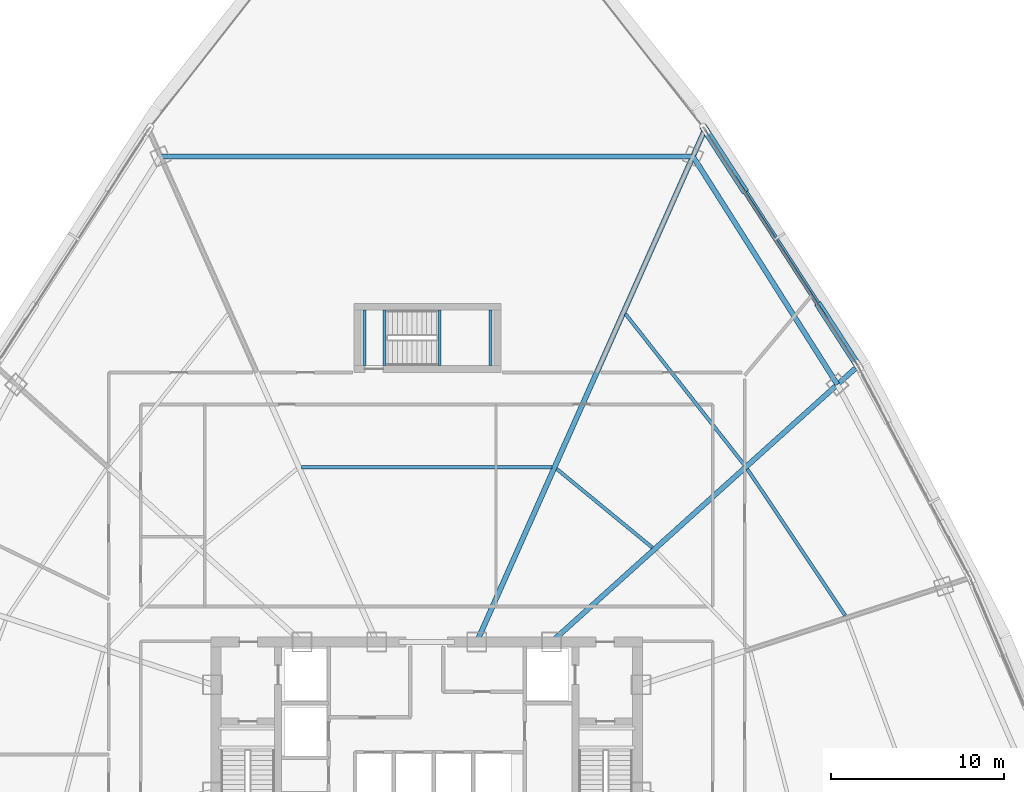
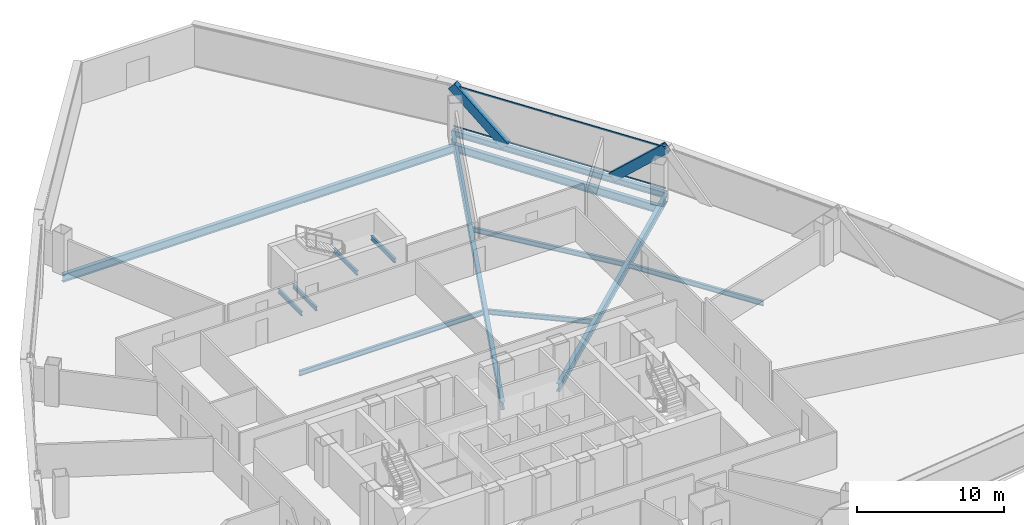
# One storey, part 19 of 39: 13 beams, 4 members, 1 element without a shape of its own.
"""IFC4 building model written with IfcOpenShell, lengths in metres."""

from ifc_helpers import new_model, si_unit, direction, frame, origin, origin_2d, place, context, subcontext, project, spatial, hollow_rectangle, i_section, extrude, source, transform, mapped, material, layer, layer_set, material_profile, profile_set, type_object, element, aggregate, save


model = new_model("IFC4")

# Units and contexts
model_context = context("Model", 3, precision=1e-05, world=origin(), true_north=direction((0.0, 1.0)))
body_context = subcontext(model_context, "Body", "Model", "MODEL_VIEW")
ifc_project = project(units=[si_unit("LENGTHUNIT", "METRE"), si_unit("AREAUNIT", "SQUARE_METRE"), si_unit("VOLUMEUNIT", "CUBIC_METRE"), si_unit("PLANEANGLEUNIT", "RADIAN"), si_unit("MASSUNIT", "GRAM", prefix="KILO"), si_unit("THERMODYNAMICTEMPERATUREUNIT", "KELVIN"), si_unit("POWERUNIT", "WATT")], contexts=[model_context])

# Site, building, storey
site_placement = place(None, origin())
site = spatial("IfcSite", under=ifc_project, at=site_placement, CompositionType="ELEMENT")
building_placement = place(site_placement, origin())
building = spatial("IfcBuilding", under=site, at=building_placement, Name="Yunzhuo Pagoda Commons", CompositionType="ELEMENT")
storey_placement = place(building_placement, frame((0.0, 0.0, 140.8701171875)))
storey = spatial("IfcBuildingStorey", under=building, at=storey_placement, Name="L35", CompositionType="ELEMENT", Elevation=140.8701171875)

# Beams
ifc_material_1 = material(Name="Structural steel Q355B", Category="steel")
ifc_material_profile_1 = material_profile(ifc_material_1, i_section(OverallWidth=0.175048828125, OverallDepth=0.35009765625, WebThickness=0.007080078125, FlangeThickness=0.010986328125, at=origin_2d()), Name="Structural steel Q355B")
ifc_profile_set_1 = profile_set([ifc_material_profile_1], Name="Structural steel Q355B")
beam_type_1 = type_object("IfcBeamType", Name="B-JS2 Joist HN 350x175x7x11", PredefinedType="JOIST", material=ifc_profile_set_1)
shared_shape_1 = source(origin(), body_context, "Body", "SweptSolid", [
    extrude(i_section(OverallWidth=0.175048828125, OverallDepth=0.35009765625, WebThickness=0.007080078125, FlangeThickness=0.010986328125, at=origin_2d()), origin(), (0.0, 0.0, 1.0), 3.199951171875),
])
for number, where, z_axis, x_axis, name in (
    (1, (48.75, 56.199951171875, 1.46484375), (0.0, 1.0, 0.0), (-1.0, 0.0, 0.0), "L35 ST3 landing support beam 41A"),
    (2, (51.699951171875, 56.199951171875, 1.46484375), (0.0, 1.0, 0.0), (-1.0, 0.0, 0.0), "L35 ST3 landing support beam 41B"),
    (3, (44.39990234375, 56.199951171875, -0.375), (0.0, 1.0, 0.0), (-1.0, 0.0, 0.0), "L35 ST3 landing support beam 109A"),
    (4, (45.550048828125, 56.199951171875, -0.375), (0.0, 1.0, 0.0), (-1.0, 0.0, 0.0), "L35 ST3 landing support beam 109B"),
):
    element("IfcBeam", number, at=place(storey_placement, frame(where, z_axis=z_axis, x_axis=x_axis)), inside=storey, type_object=beam_type_1, Name=name, PredefinedType="JOIST", context=body_context, shape_type="MappedRepresentation", body=[
        mapped(shared_shape_1, transform((0.0, 0.0, 0.0), scale=1.0)),
    ])
ifc_material_profile_2 = material_profile(ifc_material_1, i_section(OverallWidth=0.199951171875, OverallDepth=0.39990234375, WebThickness=0.008056640625, FlangeThickness=0.012939453125, at=origin_2d()), Name="Structural steel Q355B")
ifc_profile_set_2 = profile_set([ifc_material_profile_2], Name="Structural steel Q355B")
beam_type_2 = type_object("IfcBeamType", Name="B-JS1 Joist HN 400x200x8x13", PredefinedType="JOIST", material=ifc_profile_set_2)
shared_shape_2 = source(origin(), body_context, "Body", "SweptSolid", [
    extrude(i_section(OverallWidth=0.199951171875, OverallDepth=0.39990234375, WebThickness=0.008056640625, FlangeThickness=0.012939453125, at=origin_2d()), origin(), (0.0, 0.0, 1.0), 10.186767578125),
])
beam_1_placement = place(storey_placement, frame((72.221923828125, 41.731201171875, -0.460205078125), z_axis=(-0.555872145938, 0.831267801235, 0.0), x_axis=(-0.831267801235, -0.555872145938, 0.0)))
element("IfcBeam", 5, at=beam_1_placement, inside=storey, type_object=beam_type_2, Name="L35 composite ring joist 2.6", PredefinedType="JOIST", context=body_context, shape_type="MappedRepresentation", body=[
    mapped(shared_shape_2, transform((0.0, 0.0, 0.0), scale=1.0)),
])
ifc_material_profile_3 = material_profile(ifc_material_1, i_section(OverallWidth=0.300048828125, OverallDepth=0.64990234375, WebThickness=0.012939453125, FlangeThickness=0.02197265625, at=origin_2d()), Name="Structural steel Q355B")
ifc_profile_set_3 = profile_set([ifc_material_profile_3], Name="Structural steel Q355B")
beam_type_3 = type_object("IfcBeamType", Name="B-RG2 Beam HN 650x300x13x22", PredefinedType="BEAM", material=ifc_profile_set_3)
shared_shape_3 = source(origin(), body_context, "Body", "SweptSolid", [
    extrude(i_section(OverallWidth=0.300048828125, OverallDepth=0.64990234375, WebThickness=0.012939453125, FlangeThickness=0.02197265625, at=origin_2d()), origin(), (0.0, 0.0, 1.0), 15.627685546875),
])
beam_2_placement = place(storey_placement, frame((71.76611328125, 55.09912109375, -0.585205078125), z_axis=(-0.534952471728, 0.844882153316, 0.0), x_axis=(-0.844882153316, -0.534952471728, 0.0)))
element("IfcBeam", 6, at=beam_2_placement, inside=storey, type_object=beam_type_3, Name="L35 column-ring beam 7", PredefinedType="BEAM", context=body_context, shape_type="MappedRepresentation", body=[
    mapped(shared_shape_3, transform((0.0, 0.0, 0.0), scale=1.0)),
])
shared_shape_4 = source(origin(), body_context, "Body", "SweptSolid", [
    extrude(i_section(OverallWidth=0.199951171875, OverallDepth=0.39990234375, WebThickness=0.008056640625, FlangeThickness=0.012939453125, at=origin_2d()), origin(), (0.0, 0.0, 1.0), 7.163818359375),
])
beam_3_placement = place(storey_placement, frame((61.05322265625, 45.664794921875, -0.460205078125), z_axis=(-0.772234119563, 0.635338071095, 0.0), x_axis=(-0.635338071095, -0.772234119563, 0.0)))
element("IfcBeam", 7, at=beam_3_placement, inside=storey, type_object=beam_type_2, Name="L35 composite ring joist 1.7", PredefinedType="JOIST", context=body_context, shape_type="MappedRepresentation", body=[
    mapped(shared_shape_4, transform((0.0, 0.0, 0.0), scale=1.0)),
])
shared_shape_5 = source(origin(), body_context, "Body", "SweptSolid", [
    extrude(i_section(OverallWidth=0.199951171875, OverallDepth=0.39990234375, WebThickness=0.008056640625, FlangeThickness=0.012939453125, at=origin_2d()), origin(), (0.0, 0.0, 1.0), 11.109375),
])
beam_4_placement = place(storey_placement, frame((66.372802734375, 50.456298828125, -0.460205078125), z_axis=(-0.618600596935, 0.785705607382, 0.0), x_axis=(-0.785705607382, -0.618600596935, 0.0)))
element("IfcBeam", 8, at=beam_4_placement, inside=storey, type_object=beam_type_2, Name="L35 composite ring joist 2.7", PredefinedType="JOIST", context=body_context, shape_type="MappedRepresentation", body=[
    mapped(shared_shape_5, transform((0.0, 0.0, 0.0), scale=1.0)),
])
shared_shape_6 = source(origin(), body_context, "Body", "SweptSolid", [
    extrude(i_section(OverallWidth=0.300048828125, OverallDepth=0.64990234375, WebThickness=0.012939453125, FlangeThickness=0.02197265625, at=origin_2d()), origin(), (0.0, 0.0, 1.0), 30.81201171875),
])
beam_5_placement = place(storey_placement, frame((63.406005859375, 68.302734375, -0.585205078125), z_axis=(-1.0, 0.0, 0.0), x_axis=(0.0, -1.0, 0.0)))
element("IfcBeam", 9, at=beam_5_placement, inside=storey, type_object=beam_type_3, Name="L35 column-ring beam 8", PredefinedType="BEAM", context=body_context, shape_type="MappedRepresentation", body=[
    mapped(shared_shape_6, transform((0.0, 0.0, 0.0), scale=1.0)),
])
shared_shape_7 = source(origin(), body_context, "Body", "SweptSolid", [
    extrude(i_section(OverallWidth=0.199951171875, OverallDepth=0.39990234375, WebThickness=0.008056640625, FlangeThickness=0.012939453125, at=origin_2d()), origin(), (0.0, 0.0, 1.0), 14.47900390625),
])
beam_6_placement = place(storey_placement, frame((55.239501953125, 50.317138671875, -0.460205078125), z_axis=(-1.0, 0.0, 0.0), x_axis=(0.0, -1.0, 0.0)))
element("IfcBeam", 10, at=beam_6_placement, inside=storey, type_object=beam_type_2, Name="L35 composite ring joist 1.8", PredefinedType="JOIST", context=body_context, shape_type="MappedRepresentation", body=[
    mapped(shared_shape_7, transform((0.0, 0.0, 0.0), scale=1.0)),
])
shared_shape_8 = source(origin(), body_context, "Body", "SweptSolid", [
    extrude(i_section(OverallWidth=0.300048828125, OverallDepth=0.64990234375, WebThickness=0.012939453125, FlangeThickness=0.02197265625, at=origin_2d()), origin(), (0.0, 0.0, 1.0), 23.724365234375),
])
beam_7_placement = place(storey_placement, frame((72.849609375, 56.07470703125, -0.585205078125), z_axis=(-0.74314317805, -0.669132436008, 0.0), x_axis=(0.669132436008, -0.74314317805, 0.0)))
element("IfcBeam", 11, at=beam_7_placement, inside=storey, type_object=beam_type_3, Name="L35 radial floor girder F2C3", PredefinedType="BEAM", context=body_context, shape_type="MappedRepresentation", body=[
    mapped(shared_shape_8, transform((0.0, 0.0, 0.0), scale=1.0)),
])
shared_shape_9 = source(origin(), body_context, "Body", "SweptSolid", [
    extrude(i_section(OverallWidth=0.300048828125, OverallDepth=0.64990234375, WebThickness=0.012939453125, FlangeThickness=0.02197265625, at=origin_2d()), origin(), (0.0, 0.0, 1.0), 32.3154296875),
])
beam_8_placement = place(storey_placement, frame((64.037841796875, 69.7216796875, -0.585205078125), z_axis=(-0.406733504059, -0.913546855217, 0.0), x_axis=(0.913546855217, -0.406733504059, 0.0)))
element("IfcBeam", 12, at=beam_8_placement, inside=storey, type_object=beam_type_3, Name="L35 radial floor girder F2C4", PredefinedType="BEAM", context=body_context, shape_type="MappedRepresentation", body=[
    mapped(shared_shape_9, transform((0.0, 0.0, 0.0), scale=1.0)),
])
ifc_material_profile_4 = material_profile(ifc_material_1, i_section(OverallWidth=0.300048828125, OverallDepth=0.488037109375, WebThickness=0.010986328125, FlangeThickness=0.01806640625, at=origin_2d()), Name="Structural steel Q355B")
ifc_profile_set_4 = profile_set([ifc_material_profile_4], Name="Structural steel Q355B")
beam_type_4 = type_object("IfcBeamType", Name="B-SP1 Beam HM 488x300x11x18", PredefinedType="BEAM", material=ifc_profile_set_4)
shared_shape_10 = source(origin(), body_context, "Body", "SweptSolid", [
    extrude(i_section(OverallWidth=0.300048828125, OverallDepth=0.488037109375, WebThickness=0.010986328125, FlangeThickness=0.01806640625, at=origin_2d()), origin(), (0.0, 0.0, 1.0), 16.3046875),
])
beam_9_placement = place(storey_placement, frame((72.964599609375, 56.17822265625, -0.504150390625), z_axis=(-0.543635534305, 0.839321396034, 0.0), x_axis=(-0.839321396034, -0.543635534305, 0.0)))
element("IfcBeam", 13, at=beam_9_placement, inside=storey, type_object=beam_type_4, Name="L35 facade edge spandrel beam F2.3", PredefinedType="BEAM", context=body_context, shape_type="MappedRepresentation", body=[
    mapped(shared_shape_10, transform((0.0, 0.0, 0.0), scale=1.0)),
])

# Members
ifc_material_2 = material(Name="Structural steel Q420B", Category="steel")
ifc_material_profile_5 = material_profile(ifc_material_2, hollow_rectangle(XDim=0.419921875, YDim=0.719970703125, WallThickness=0.028076171875, at=origin_2d()), Name="Structural steel Q420B")
ifc_profile_set_5 = profile_set([ifc_material_profile_5], Name="Structural steel Q420B")
member_type_1 = type_object("IfcMemberType", Name="M-DL1 Brace BOX 720x420x28", PredefinedType="BRACE", material=ifc_profile_set_5)
shared_shape_11 = source(origin(), body_context, "Body", "SweptSolid", [
    extrude(hollow_rectangle(XDim=0.419921875, YDim=0.719970703125, WallThickness=0.028076171875, at=origin_2d()), origin(), (0.0, 0.0, 1.0), 5.49169921875),
])
member_1_placement = place(storey_placement, frame((70.748779296875, 59.599609375, -0.260009765625), z_axis=(0.403492844042, -0.623022115074, 0.670102207828), x_axis=(0.839348334956, 0.543593940921, 0.0)))
element("IfcMember", 14, at=member_1_placement, inside=storey, type_object=member_type_1, Name="L35 facade diamond brace F2.3L", PredefinedType="BRACE", context=body_context, shape_type="MappedRepresentation", body=[
    mapped(shared_shape_11, transform((0.0, 0.0, 0.0), scale=1.0)),
])
shared_shape_12 = source(origin(), body_context, "Body", "SweptSolid", [
    extrude(hollow_rectangle(XDim=0.419921875, YDim=0.719970703125, WallThickness=0.028076171875, at=origin_2d()), origin(), (0.0, 0.0, 1.0), 5.491455078125),
])
member_2_placement = place(storey_placement, frame((66.317138671875, 66.442138671875, -0.260009765625), z_axis=(-0.403589632952, 0.622945355467, 0.670115282825), x_axis=(-0.8392582692, -0.543732983714, 0.0)))
element("IfcMember", 15, at=member_2_placement, inside=storey, type_object=member_type_1, Name="L35 facade diamond brace F2.3R", PredefinedType="BRACE", context=body_context, shape_type="MappedRepresentation", body=[
    mapped(shared_shape_12, transform((0.0, 0.0, 0.0), scale=1.0)),
])

# Curtain wall, members
ifc_material_3 = material(Name="Anodized aluminium 6063-T6", Category="aluminium")
ifc_layer = layer(ifc_material_3, 0.14990234375)
ifc_layer_set = layer_set([ifc_layer], Name="Anodized aluminium 6063-T6")
curtain_wall_type = type_object("IfcCurtainWallType", Name="CW-MID Mid-Zone Ribbon Curtain Wall", PredefinedType="NOTDEFINED", material=ifc_layer_set)
curtain_wall_placement = place(storey_placement, origin())
curtain_wall = element("IfcCurtainWall", 16, at=curtain_wall_placement, inside=storey, type_object=curtain_wall_type, Name="L35 curtain wall CW-L35-F2B4", PredefinedType="NOTDEFINED")
ifc_material_profile_6 = material_profile(ifc_material_3, hollow_rectangle(XDim=0.054931640625, YDim=0.1298828125, WallThickness=0.00341796875, at=origin_2d()), Name="Anodized aluminium 6063-T6")
ifc_profile_set_6 = profile_set([ifc_material_profile_6], Name="Anodized aluminium 6063-T6")
member_type_2 = type_object("IfcMemberType", Name="CW-MID-T Transom RHS 130x55x3.5", PredefinedType="USERDEFINED", material=ifc_profile_set_6)
shared_shape_13 = source(origin(), body_context, "Body", "SweptSolid", [
    extrude(hollow_rectangle(XDim=0.054931640625, YDim=0.1298828125, WallThickness=0.00341796875, at=origin_2d()), origin(), (0.0, 0.0, 1.0), 16.1845703125),
])
member_3_placement = place(storey_placement, frame((72.93212890625, 56.228759765625, 0.02734375), z_axis=(-0.543640885625, 0.839317929915, 0.0), x_axis=(-0.839317929915, -0.543640885625, 0.0)))
member_3 = element("IfcMember", 17, at=member_3_placement, type_object=member_type_2, Name="CW transom 1.1", ObjectType="TRANSOM", PredefinedType="USERDEFINED", context=body_context, shape_type="MappedRepresentation", body=[
    mapped(shared_shape_13, transform((0.0, 0.0, 0.0), scale=1.0)),
])
member_4_placement = place(storey_placement, frame((72.93212890625, 56.228759765625, 3.392333984375), z_axis=(-0.543640885625, 0.839317929915, 0.0), x_axis=(-0.839317929915, -0.543640885625, 0.0)))
member_4 = element("IfcMember", 18, at=member_4_placement, type_object=member_type_2, Name="CW transom 1.2", ObjectType="TRANSOM", PredefinedType="USERDEFINED", context=body_context, shape_type="MappedRepresentation", body=[
    mapped(shared_shape_13, transform((0.0, 0.0, 0.0), scale=1.0)),
])
aggregate(curtain_wall, [member_3, member_4])

save(model, "model.ifc")
